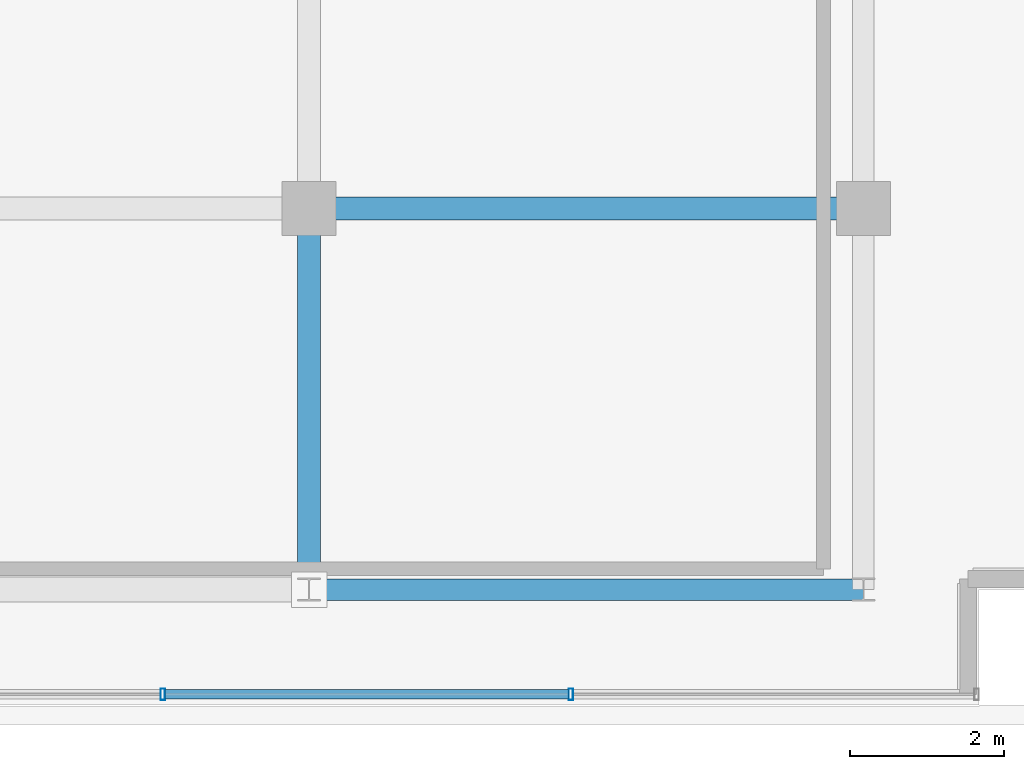
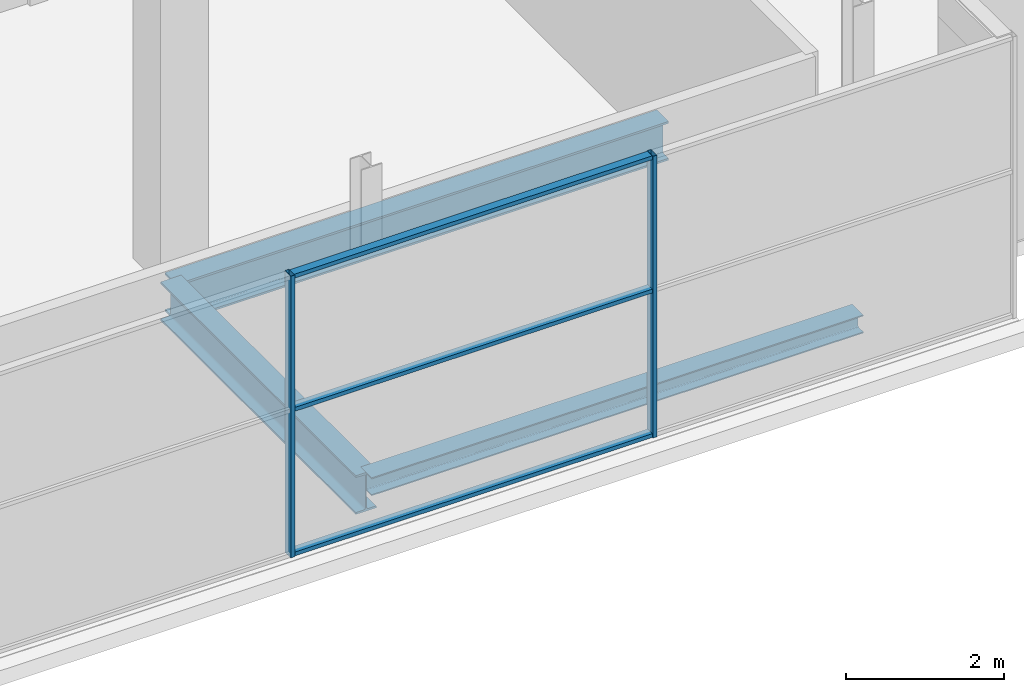
# One storey, part 9 of 26: 5 members, 3 beams, 1 element without a shape of its own.
"""IFC4 building model written with IfcOpenShell, lengths in metres."""

from ifc_helpers import new_model, si_unit, direction, frame, origin, origin_2d, place, context, subcontext, project, spatial, hollow_rectangle, i_section, extrude, source, transform, mapped, material, layer, layer_set, material_profile, profile_set, type_object, element, aggregate, save


model = new_model("IFC4")

# Units and contexts
model_context = context("Model", 3, precision=1e-05, world=origin(), true_north=direction((0.0, 1.0)))
body_context = subcontext(model_context, "Body", "Model", "MODEL_VIEW")
ifc_project = project(units=[si_unit("LENGTHUNIT", "METRE"), si_unit("AREAUNIT", "SQUARE_METRE"), si_unit("VOLUMEUNIT", "CUBIC_METRE"), si_unit("PLANEANGLEUNIT", "RADIAN"), si_unit("MASSUNIT", "GRAM", prefix="KILO")], contexts=[model_context])

# Site, building, storey
site_placement = place(None, origin())
site = spatial("IfcSite", under=ifc_project, at=site_placement, CompositionType="ELEMENT")
building_placement = place(site_placement, origin())
building = spatial("IfcBuilding", under=site, at=building_placement, Name="Zarnakvel Exchange Tower", CompositionType="ELEMENT")
storey_placement = place(building_placement, frame((0.0, 0.0, 285.39990234375)))
storey = spatial("IfcBuildingStorey", under=building, at=storey_placement, Name="Crown L80", CompositionType="ELEMENT", Elevation=285.39990234375)

# Beams
ifc_material_1 = material(Name="Steel S355", Category="steel")
ifc_material_profile_1 = material_profile(ifc_material_1, i_section(OverallWidth=0.300048828125, OverallDepth=0.60009765625, WebThickness=0.015380859375, FlangeThickness=0.030029296875, FilletRadius=0.027099609375, at=origin_2d()))
ifc_profile_set_1 = profile_set([ifc_material_profile_1], Name="Steel S355")
beam_type_1 = type_object("IfcBeamType", Name="G-04", PredefinedType="BEAM", material=ifc_profile_set_1)
beam_1_placement = place(storey_placement, frame((7.199951171875, -9.60009765625, -0.52001953125), z_axis=(1.0, 0.0, 0.0), x_axis=(0.0, 1.0, 0.0)))
element("IfcBeam", 1, at=beam_1_placement, inside=storey, type_object=beam_type_1, Name="Crown L80 Tower E-W Frame Beam", PredefinedType="BEAM", context=body_context, shape_type="SweptSolid", body=[
    extrude(i_section(OverallWidth=0.300048828125, OverallDepth=0.60009765625, WebThickness=0.015380859375, FlangeThickness=0.030029296875, FilletRadius=0.027099609375, at=origin_2d()), origin(), (0.0, 0.0, 1.0), 7.199951171875),
])
beam_2_placement = place(storey_placement, frame((7.199951171875, -14.550048828125, -0.52001953125), z_axis=(0.0, 1.0, 0.0), x_axis=(-1.0, 0.0, 0.0)))
element("IfcBeam", 2, at=beam_2_placement, inside=storey, type_object=beam_type_1, Name="Crown L80 Tower N-S Frame Beam", PredefinedType="BEAM", context=body_context, shape_type="SweptSolid", body=[
    extrude(i_section(OverallWidth=0.300048828125, OverallDepth=0.60009765625, WebThickness=0.015380859375, FlangeThickness=0.030029296875, FilletRadius=0.027099609375, at=origin_2d()), origin(), (0.0, 0.0, 1.0), 4.949951171875),
])
ifc_material_profile_2 = material_profile(ifc_material_1, i_section(OverallWidth=0.280029296875, OverallDepth=0.280029296875, WebThickness=0.010498046875, FlangeThickness=0.01806640625, FilletRadius=0.02392578125, at=origin_2d()))
ifc_profile_set_2 = profile_set([ifc_material_profile_2], Name="Steel S355")
beam_type_2 = type_object("IfcBeamType", Name="SP-04", PredefinedType="SPANDREL", material=ifc_profile_set_2)
beam_3_placement = place(storey_placement, frame((7.199951171875, -14.550048828125, -0.35986328125), z_axis=(1.0, 0.0, 0.0), x_axis=(0.0, 1.0, 0.0)))
element("IfcBeam", 3, at=beam_3_placement, inside=storey, type_object=beam_type_2, Name="Crown L80 Tower E-W Frame Beam", PredefinedType="SPANDREL", context=body_context, shape_type="SweptSolid", body=[
    extrude(i_section(OverallWidth=0.280029296875, OverallDepth=0.280029296875, WebThickness=0.010498046875, FlangeThickness=0.01806640625, FilletRadius=0.02392578125, at=origin_2d()), origin(), (0.0, 0.0, 1.0), 7.199951171875),
])

# Curtain wall, members
ifc_material_2 = material(Name="Architectural Bronze Anodised Aluminium", Category="aluminium")
ifc_layer = layer(ifc_material_2, 0.14990234375)
ifc_layer_set = layer_set([ifc_layer], Name="Architectural Bronze Anodised Aluminium")
curtain_wall_type = type_object("IfcCurtainWallType", Name="CW-07", PredefinedType="NOTDEFINED", material=ifc_layer_set)
curtain_wall_placement = place(storey_placement, origin())
curtain_wall = element("IfcCurtainWall", 4, at=curtain_wall_placement, inside=storey, type_object=curtain_wall_type, Name="Crown L80 Curtain Wall CW-Crown L80-S (CW-07)", PredefinedType="NOTDEFINED")
ifc_material_profile_3 = material_profile(ifc_material_2, hollow_rectangle(XDim=0.14990234375, YDim=0.06005859375, WallThickness=0.00390625, at=origin_2d()))
ifc_profile_set_3 = profile_set([ifc_material_profile_3], Name="Architectural Bronze Anodised Aluminium")
member_type_1 = type_object("IfcMemberType", Name="CWM-07", PredefinedType="MULLION", material=ifc_profile_set_3)
shared_shape_1 = source(origin(), body_context, "Body", "SweptSolid", [
    extrude(hollow_rectangle(XDim=0.14990234375, YDim=0.06005859375, WallThickness=0.00390625, at=origin_2d()), origin(), (0.0, 0.0, 1.0), 4.360107421875),
])
member_1_placement = place(storey_placement, frame((5.300048828125, -15.909912109375, 0.0), z_axis=(0.0, 0.0, 1.0), x_axis=(0.0, 1.0, 0.0)))
member_1 = element("IfcMember", 5, at=member_1_placement, type_object=member_type_1, Name="CW-07 mullion 5", PredefinedType="MULLION", context=body_context, shape_type="MappedRepresentation", body=[
    mapped(shared_shape_1, transform((0.0, 0.0, 0.0), x_axis=(1.0, 0.0, 0.0), y_axis=(0.0, 1.0, 0.0), z_axis=(0.0, 0.0, 1.0), scale=1.0)),
])
member_2_placement = place(storey_placement, frame((10.60009765625, -15.909912109375, 0.0), z_axis=(0.0, 0.0, 1.0), x_axis=(0.0, 1.0, 0.0)))
member_2 = element("IfcMember", 6, at=member_2_placement, type_object=member_type_1, Name="CW-07 mullion 6", PredefinedType="MULLION", context=body_context, shape_type="MappedRepresentation", body=[
    mapped(shared_shape_1, transform((0.0, 0.0, 0.0), x_axis=(1.0, 0.0, 0.0), y_axis=(0.0, 1.0, 0.0), z_axis=(0.0, 0.0, 1.0), scale=1.0)),
])
ifc_material_profile_4 = material_profile(ifc_material_2, hollow_rectangle(XDim=0.1201171875, YDim=0.06005859375, WallThickness=0.00390625, at=origin_2d()))
ifc_profile_set_4 = profile_set([ifc_material_profile_4], Name="Architectural Bronze Anodised Aluminium")
member_type_2 = type_object("IfcMemberType", Name="CWT-07", PredefinedType="USERDEFINED", material=ifc_profile_set_4)
shared_shape_2 = source(origin(), body_context, "Body", "SweptSolid", [
    extrude(hollow_rectangle(XDim=0.1201171875, YDim=0.06005859375, WallThickness=0.00390625, at=origin_2d()), origin(), (0.0, 0.0, 1.0), 5.239990234375),
])
member_3_placement = place(storey_placement, frame((5.330078125, -15.909912109375, 0.030029296875), z_axis=(1.0, 0.0, 0.0), x_axis=(0.0, 1.0, 0.0)))
member_3 = element("IfcMember", 7, at=member_3_placement, type_object=member_type_2, Name="CW-07 transom 5.1", ObjectType="TRANSOM", PredefinedType="USERDEFINED", context=body_context, shape_type="MappedRepresentation", body=[
    mapped(shared_shape_2, transform((0.0, 0.0, 0.0), x_axis=(1.0, 0.0, 0.0), y_axis=(0.0, 1.0, 0.0), z_axis=(0.0, 0.0, 1.0), scale=1.0)),
])
member_4_placement = place(storey_placement, frame((5.330078125, -15.909912109375, 2.267333984375), z_axis=(1.0, 0.0, 0.0), x_axis=(0.0, 1.0, 0.0)))
member_4 = element("IfcMember", 8, at=member_4_placement, type_object=member_type_2, Name="CW-07 transom 5.2", ObjectType="TRANSOM", PredefinedType="USERDEFINED", context=body_context, shape_type="MappedRepresentation", body=[
    mapped(shared_shape_2, transform((0.0, 0.0, 0.0), x_axis=(1.0, 0.0, 0.0), y_axis=(0.0, 1.0, 0.0), z_axis=(0.0, 0.0, 1.0), scale=1.0)),
])
member_5_placement = place(storey_placement, frame((5.330078125, -15.909912109375, 4.330078125), z_axis=(1.0, 0.0, 0.0), x_axis=(0.0, 1.0, 0.0)))
member_5 = element("IfcMember", 9, at=member_5_placement, type_object=member_type_2, Name="CW-07 transom 5.3", ObjectType="TRANSOM", PredefinedType="USERDEFINED", context=body_context, shape_type="MappedRepresentation", body=[
    mapped(shared_shape_2, transform((0.0, 0.0, 0.0), x_axis=(1.0, 0.0, 0.0), y_axis=(0.0, 1.0, 0.0), z_axis=(0.0, 0.0, 1.0), scale=1.0)),
])
aggregate(curtain_wall, [member_1, member_2, member_3, member_4, member_5])

save(model, "model.ifc")
